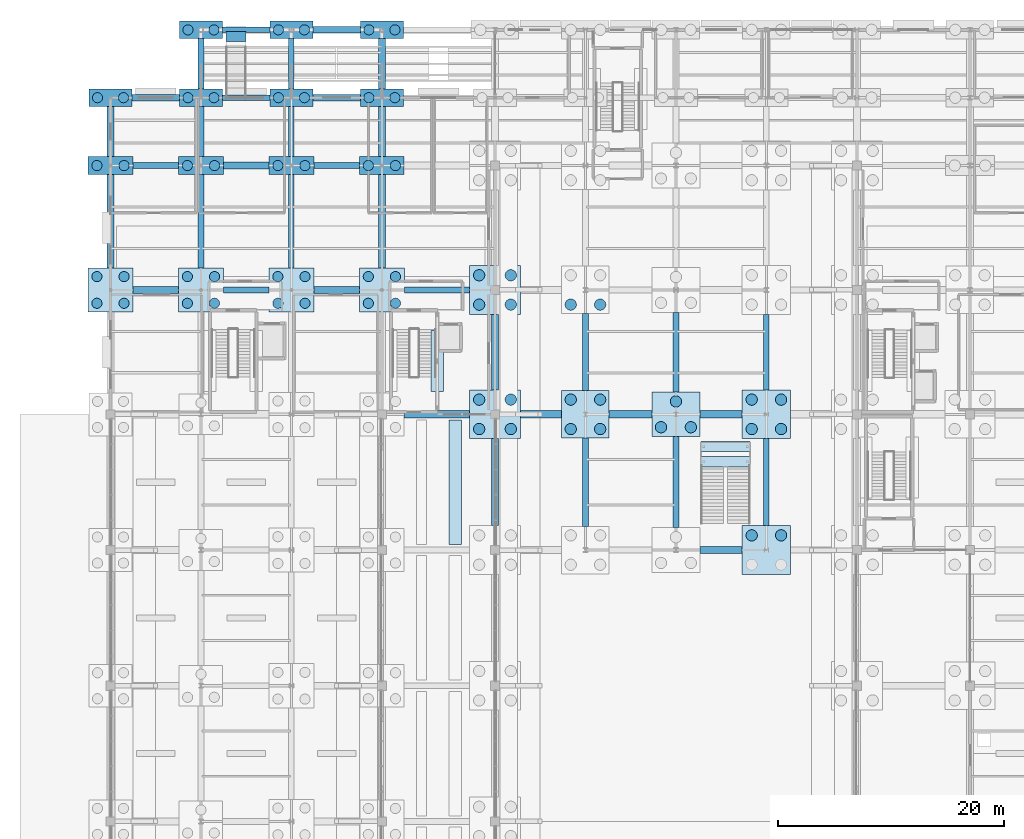
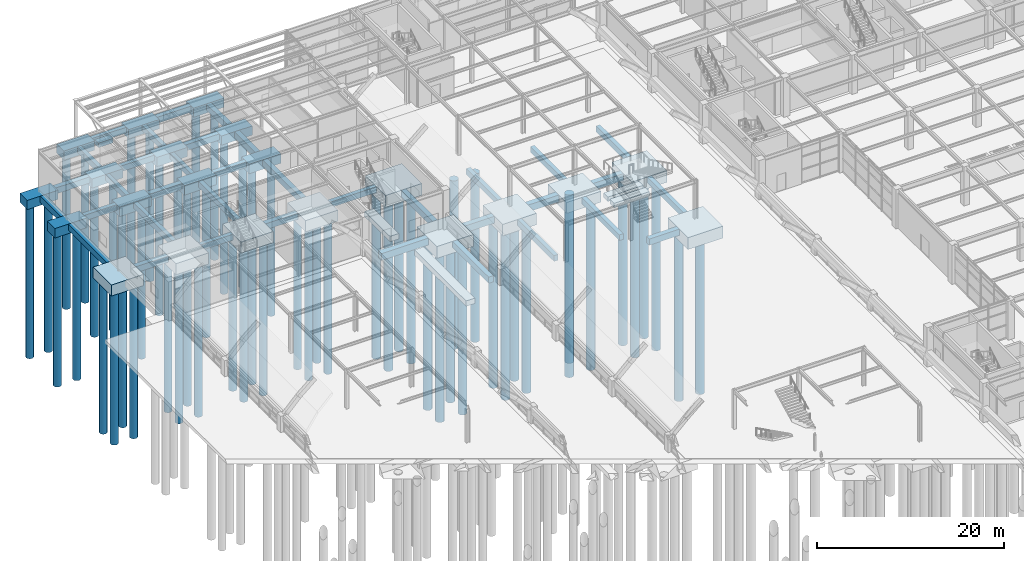
# One storey, part 5 of 129: 62 footings, 61 piles.
"""IFC4 building model written with IfcOpenShell, lengths in metres."""

from ifc_helpers import new_model, si_unit, direction, frame, origin, origin_2d, place, context, subcontext, project, spatial, rectangle, circle, extrude, material, material_profile, profile_set, type_object, element, save


model = new_model("IFC4")

# Units and contexts
model_context = context("Model", 3, precision=1e-05, world=origin(), true_north=direction((0.0, 1.0)))
body_context = subcontext(model_context, "Body", "Model", "MODEL_VIEW")
ifc_project = project(units=[si_unit("LENGTHUNIT", "METRE"), si_unit("AREAUNIT", "SQUARE_METRE"), si_unit("VOLUMEUNIT", "CUBIC_METRE"), si_unit("PLANEANGLEUNIT", "RADIAN"), si_unit("MASSUNIT", "GRAM", prefix="KILO")], contexts=[model_context])

# Site, building, storey
site_placement = place(None, origin())
site = spatial("IfcSite", under=ifc_project, at=site_placement, CompositionType="ELEMENT")
building_placement = place(site_placement, origin())
building = spatial("IfcBuilding", under=site, at=building_placement, Name="Sitalva Quay Ferry Terminal", CompositionType="ELEMENT")
storey_placement = place(building_placement, origin())
storey = spatial("IfcBuildingStorey", under=building, at=storey_placement, Name="L01", CompositionType="ELEMENT", Elevation=0.0)

# Footings
ifc_material_1 = material(Name="Concrete C35/45", Category="concrete")
ifc_material_profile_1 = material_profile(ifc_material_1, rectangle(XDim=0.5, YDim=0.75, at=origin_2d()), Name="RC500x750")
ifc_profile_set_1 = profile_set([ifc_material_profile_1], Name="Concrete C35/45")
footing_type_1 = type_object("IfcFootingType", Name="FootingBeam_500x750", PredefinedType="FOOTING_BEAM", material=ifc_profile_set_1)
footing_1_placement = place(storey_placement, frame((18.0, 89.0, -0.824951171875), z_axis=(1.0, 0.0, 0.0), x_axis=(0.0, 1.0, 0.0)))
element("IfcFooting", 1, at=footing_1_placement, inside=storey, type_object=footing_type_1, Name="Foundation tie beam FBR1-X-137", PredefinedType="FOOTING_BEAM", context=body_context, shape_type="SweptSolid", body=[
    extrude(rectangle(XDim=0.5, YDim=0.75, at=origin_2d()), origin(), (0.0, 0.0, 1.0), 4.0),
])
footing_2_placement = place(storey_placement, frame((34.0, 89.0, -0.824951171875), z_axis=(1.0, 0.0, 0.0), x_axis=(0.0, 1.0, 0.0)))
element("IfcFooting", 2, at=footing_2_placement, inside=storey, type_object=footing_type_1, Name="Foundation tie beam FBR1-X-139", PredefinedType="FOOTING_BEAM", context=body_context, shape_type="SweptSolid", body=[
    extrude(rectangle(XDim=0.5, YDim=0.75, at=origin_2d()), origin(), (0.0, 0.0, 1.0), 5.75),
])
for number, where, z_axis, x_axis, name in (
    (3, (9.97509765625, 100.0, -0.824951171875), (1.0, 0.0, 0.0), (0.0, 1.0, 0.0), "Foundation tie beam FBR1-X-155"),
    (4, (25.97509765625, 100.0, -0.824951171875), (1.0, 0.0, 0.0), (0.0, 1.0, 0.0), "Foundation tie beam FBR1-X-157"),
):
    element("IfcFooting", number, at=place(storey_placement, frame(where, z_axis=z_axis, x_axis=x_axis)), inside=storey, type_object=footing_type_1, Name=name, PredefinedType="FOOTING_BEAM", context=body_context, shape_type="SweptSolid", body=[
        extrude(rectangle(XDim=0.5, YDim=0.75, at=origin_2d()), origin(), (0.0, 0.0, 1.0), 4.0498046875),
    ])
for number, where, z_axis, x_axis, name in (
    (5, (17.89990234375, 106.0, -0.824951171875), (1.0, 0.0, 0.0), (0.0, 1.0, 0.0), "Foundation tie beam FBR1-X-175"),
    (6, (17.89990234375, 112.0, -0.824951171875), (1.0, 0.0, 0.0), (0.0, 1.0, 0.0), "Foundation tie beam FBR1-X-193"),
):
    element("IfcFooting", number, at=place(storey_placement, frame(where, z_axis=z_axis, x_axis=x_axis)), inside=storey, type_object=footing_type_1, Name=name, PredefinedType="FOOTING_BEAM", context=body_context, shape_type="SweptSolid", body=[
        extrude(rectangle(XDim=0.5, YDim=0.75, at=origin_2d()), origin(), (0.0, 0.0, 1.0), 4.2001953125),
    ])
footing_3_placement = place(storey_placement, frame((16.0, 90.949951171875, -0.824951171875), z_axis=(0.0, 1.0, 0.0), x_axis=(-1.0, 0.0, 0.0)))
element("IfcFooting", 7, at=footing_3_placement, inside=storey, type_object=footing_type_1, Name="Foundation tie beam FBR1-Y-223", PredefinedType="FOOTING_BEAM", context=body_context, shape_type="SweptSolid", body=[
    extrude(rectangle(XDim=0.5, YDim=0.75, at=origin_2d()), origin(), (0.0, 0.0, 1.0), 8.25),
])
footing_4_placement = place(storey_placement, frame((16.0, 100.800048828125, -0.824951171875), z_axis=(0.0, 1.0, 0.0), x_axis=(-1.0, 0.0, 0.0)))
element("IfcFooting", 8, at=footing_4_placement, inside=storey, type_object=footing_type_1, Name="Foundation tie beam FBR1-Y-224", PredefinedType="FOOTING_BEAM", context=body_context, shape_type="SweptSolid", body=[
    extrude(rectangle(XDim=0.5, YDim=0.75, at=origin_2d()), origin(), (0.0, 0.0, 1.0), 4.425048828125),
])
footing_5_placement = place(storey_placement, frame((16.0, 106.77490234375, -0.824951171875), z_axis=(0.0, 1.0, 0.0), x_axis=(-1.0, 0.0, 0.0)))
element("IfcFooting", 9, at=footing_5_placement, inside=storey, type_object=footing_type_1, Name="Foundation tie beam FBR1-Y-225", PredefinedType="FOOTING_BEAM", context=body_context, shape_type="SweptSolid", body=[
    extrude(rectangle(XDim=0.5, YDim=0.75, at=origin_2d()), origin(), (0.0, 0.0, 1.0), 4.4501953125),
])
footing_6_placement = place(storey_placement, frame((24.0, 90.949951171875, -0.824951171875), z_axis=(0.0, 1.0, 0.0), x_axis=(-1.0, 0.0, 0.0)))
element("IfcFooting", 10, at=footing_6_placement, inside=storey, type_object=footing_type_1, Name="Foundation tie beam FBR1-Y-233", PredefinedType="FOOTING_BEAM", context=body_context, shape_type="SweptSolid", body=[
    extrude(rectangle(XDim=0.5, YDim=0.75, at=origin_2d()), origin(), (0.0, 0.0, 1.0), 8.25),
])
footing_7_placement = place(storey_placement, frame((24.0, 100.800048828125, -0.824951171875), z_axis=(0.0, 1.0, 0.0), x_axis=(-1.0, 0.0, 0.0)))
element("IfcFooting", 11, at=footing_7_placement, inside=storey, type_object=footing_type_1, Name="Foundation tie beam FBR1-Y-234", PredefinedType="FOOTING_BEAM", context=body_context, shape_type="SweptSolid", body=[
    extrude(rectangle(XDim=0.5, YDim=0.75, at=origin_2d()), origin(), (0.0, 0.0, 1.0), 4.425048828125),
])
footing_8_placement = place(storey_placement, frame((24.0, 106.77490234375, -0.824951171875), z_axis=(0.0, 1.0, 0.0), x_axis=(-1.0, 0.0, 0.0)))
element("IfcFooting", 12, at=footing_8_placement, inside=storey, type_object=footing_type_1, Name="Foundation tie beam FBR1-Y-235", PredefinedType="FOOTING_BEAM", context=body_context, shape_type="SweptSolid", body=[
    extrude(rectangle(XDim=0.5, YDim=0.75, at=origin_2d()), origin(), (0.0, 0.0, 1.0), 4.4501953125),
])
footing_9_placement = place(storey_placement, frame((50.0, 68.10009765625, -0.824951171875), z_axis=(0.0, 1.0, 0.0), x_axis=(-1.0, 0.0, 0.0)))
element("IfcFooting", 13, at=footing_9_placement, inside=storey, type_object=footing_type_1, Name="Foundation tie beam FBR1-Y-258", PredefinedType="FOOTING_BEAM", context=body_context, shape_type="SweptSolid", body=[
    extrude(rectangle(XDim=0.5, YDim=0.75, at=origin_2d()), origin(), (0.0, 0.0, 1.0), 7.7998046875),
])
footing_10_placement = place(storey_placement, frame((50.0, 80.10009765625, -0.824951171875), z_axis=(0.0, 1.0, 0.0), x_axis=(-1.0, 0.0, 0.0)))
element("IfcFooting", 14, at=footing_10_placement, inside=storey, type_object=footing_type_1, Name="Foundation tie beam FBR1-Y-259", PredefinedType="FOOTING_BEAM", context=body_context, shape_type="SweptSolid", body=[
    extrude(rectangle(XDim=0.5, YDim=0.75, at=origin_2d()), origin(), (0.0, 0.0, 1.0), 6.7998046875),
])
footing_11_placement = place(storey_placement, frame((58.0, 67.97509765625, -0.824951171875), z_axis=(0.0, 1.0, 0.0), x_axis=(-1.0, 0.0, 0.0)))
element("IfcFooting", 15, at=footing_11_placement, inside=storey, type_object=footing_type_1, Name="Foundation tie beam FBR1-Y-267", PredefinedType="FOOTING_BEAM", context=body_context, shape_type="SweptSolid", body=[
    extrude(rectangle(XDim=0.5, YDim=0.75, at=origin_2d()), origin(), (0.0, 0.0, 1.0), 8.0498046875),
])
footing_12_placement = place(storey_placement, frame((58.0, 79.97509765625, -0.824951171875), z_axis=(0.0, 1.0, 0.0), x_axis=(-1.0, 0.0, 0.0)))
element("IfcFooting", 16, at=footing_12_placement, inside=storey, type_object=footing_type_1, Name="Foundation tie beam FBR1-Y-268", PredefinedType="FOOTING_BEAM", context=body_context, shape_type="SweptSolid", body=[
    extrude(rectangle(XDim=0.5, YDim=0.75, at=origin_2d()), origin(), (0.0, 0.0, 1.0), 7.0498046875),
])
footing_13_placement = place(storey_placement, frame((66.0, 68.14990234375, -0.824951171875), z_axis=(0.0, 1.0, 0.0), x_axis=(-1.0, 0.0, 0.0)))
element("IfcFooting", 17, at=footing_13_placement, inside=storey, type_object=footing_type_1, Name="Foundation tie beam FBR1-Y-276", PredefinedType="FOOTING_BEAM", context=body_context, shape_type="SweptSolid", body=[
    extrude(rectangle(XDim=0.5, YDim=0.75, at=origin_2d()), origin(), (0.0, 0.0, 1.0), 7.7001953125),
])
footing_14_placement = place(storey_placement, frame((66.0, 80.14990234375, -0.824951171875), z_axis=(0.0, 1.0, 0.0), x_axis=(-1.0, 0.0, 0.0)))
element("IfcFooting", 18, at=footing_14_placement, inside=storey, type_object=footing_type_1, Name="Foundation tie beam FBR1-Y-277", PredefinedType="FOOTING_BEAM", context=body_context, shape_type="SweptSolid", body=[
    extrude(rectangle(XDim=0.5, YDim=0.75, at=origin_2d()), origin(), (0.0, 0.0, 1.0), 6.7001953125),
])
ifc_material_2 = material(Name="Concrete C35/45", Category="concrete")
ifc_material_profile_2 = material_profile(ifc_material_2, rectangle(XDim=0.60009765625, YDim=0.800048828125, at=origin_2d()), Name="RC600x800")
ifc_profile_set_2 = profile_set([ifc_material_profile_2], Name="Concrete C35/45")
footing_type_2 = type_object("IfcFootingType", Name="FootingBeam_600x800", PredefinedType="FOOTING_BEAM", material=ifc_profile_set_2)
footing_15_placement = place(storey_placement, frame((60.125, 66.0, -0.85009765625), z_axis=(1.0, 0.0, 0.0), x_axis=(0.0, 1.0, 0.0)))
element("IfcFooting", 19, at=footing_15_placement, inside=storey, type_object=footing_type_2, Name="Foundation tie beam FBR1-X-102", PredefinedType="FOOTING_BEAM", context=body_context, shape_type="SweptSolid", body=[
    extrude(rectangle(XDim=0.60009765625, YDim=0.800048828125, at=origin_2d()), origin(), (0.0, 0.0, 1.0), 3.72509765625),
])
for number, where, z_axis, x_axis, name in (
    (20, (10.0, 89.0, -0.85009765625), (1.0, 0.0, 0.0), (0.0, 1.0, 0.0), "Foundation tie beam FBR1-X-136"),
    (21, (26.0, 89.0, -0.85009765625), (1.0, 0.0, 0.0), (0.0, 1.0, 0.0), "Foundation tie beam FBR1-X-138"),
):
    element("IfcFooting", number, at=place(storey_placement, frame(where, z_axis=z_axis, x_axis=x_axis)), inside=storey, type_object=footing_type_2, Name=name, PredefinedType="FOOTING_BEAM", context=body_context, shape_type="SweptSolid", body=[
        extrude(rectangle(XDim=0.60009765625, YDim=0.800048828125, at=origin_2d()), origin(), (0.0, 0.0, 1.0), 4.0),
    ])
footing_16_placement = place(storey_placement, frame((17.97509765625, 100.0, -0.85009765625), z_axis=(1.0, 0.0, 0.0), x_axis=(0.0, 1.0, 0.0)))
element("IfcFooting", 22, at=footing_16_placement, inside=storey, type_object=footing_type_2, Name="Foundation tie beam FBR1-X-156", PredefinedType="FOOTING_BEAM", context=body_context, shape_type="SweptSolid", body=[
    extrude(rectangle(XDim=0.60009765625, YDim=0.800048828125, at=origin_2d()), origin(), (0.0, 0.0, 1.0), 4.0498046875),
])
for number, where, z_axis, x_axis, name in (
    (23, (9.89990234375, 106.0, -0.85009765625), (1.0, 0.0, 0.0), (0.0, 1.0, 0.0), "Foundation tie beam FBR1-X-174"),
    (24, (25.89990234375, 106.0, -0.85009765625), (1.0, 0.0, 0.0), (0.0, 1.0, 0.0), "Foundation tie beam FBR1-X-176"),
    (25, (25.89990234375, 112.0, -0.85009765625), (1.0, 0.0, 0.0), (0.0, 1.0, 0.0), "Foundation tie beam FBR1-X-194"),
):
    element("IfcFooting", number, at=place(storey_placement, frame(where, z_axis=z_axis, x_axis=x_axis)), inside=storey, type_object=footing_type_2, Name=name, PredefinedType="FOOTING_BEAM", context=body_context, shape_type="SweptSolid", body=[
        extrude(rectangle(XDim=0.60009765625, YDim=0.800048828125, at=origin_2d()), origin(), (0.0, 0.0, 1.0), 4.2001953125),
    ])
footing_17_placement = place(storey_placement, frame((8.0, 90.949951171875, -0.85009765625), z_axis=(0.0, 1.0, 0.0), x_axis=(-1.0, 0.0, 0.0)))
element("IfcFooting", 26, at=footing_17_placement, inside=storey, type_object=footing_type_2, Name="Foundation tie beam FBR1-Y-216", PredefinedType="FOOTING_BEAM", context=body_context, shape_type="SweptSolid", body=[
    extrude(rectangle(XDim=0.60009765625, YDim=0.800048828125, at=origin_2d()), origin(), (0.0, 0.0, 1.0), 8.25),
])
footing_18_placement = place(storey_placement, frame((8.0, 100.800048828125, -0.85009765625), z_axis=(0.0, 1.0, 0.0), x_axis=(-1.0, 0.0, 0.0)))
element("IfcFooting", 27, at=footing_18_placement, inside=storey, type_object=footing_type_2, Name="Foundation tie beam FBR1-Y-217", PredefinedType="FOOTING_BEAM", context=body_context, shape_type="SweptSolid", body=[
    extrude(rectangle(XDim=0.60009765625, YDim=0.800048828125, at=origin_2d()), origin(), (0.0, 0.0, 1.0), 4.425048828125),
])
footing_19_placement = place(storey_placement, frame((32.0, 90.949951171875, -0.85009765625), z_axis=(0.0, 1.0, 0.0), x_axis=(-1.0, 0.0, 0.0)))
element("IfcFooting", 28, at=footing_19_placement, inside=storey, type_object=footing_type_2, Name="Foundation tie beam FBR1-Y-243", PredefinedType="FOOTING_BEAM", context=body_context, shape_type="SweptSolid", body=[
    extrude(rectangle(XDim=0.60009765625, YDim=0.800048828125, at=origin_2d()), origin(), (0.0, 0.0, 1.0), 8.25),
])
footing_20_placement = place(storey_placement, frame((32.0, 100.800048828125, -0.85009765625), z_axis=(0.0, 1.0, 0.0), x_axis=(-1.0, 0.0, 0.0)))
element("IfcFooting", 29, at=footing_20_placement, inside=storey, type_object=footing_type_2, Name="Foundation tie beam FBR1-Y-244", PredefinedType="FOOTING_BEAM", context=body_context, shape_type="SweptSolid", body=[
    extrude(rectangle(XDim=0.60009765625, YDim=0.800048828125, at=origin_2d()), origin(), (0.0, 0.0, 1.0), 4.425048828125),
])
footing_21_placement = place(storey_placement, frame((32.0, 106.77490234375, -0.85009765625), z_axis=(0.0, 1.0, 0.0), x_axis=(-1.0, 0.0, 0.0)))
element("IfcFooting", 30, at=footing_21_placement, inside=storey, type_object=footing_type_2, Name="Foundation tie beam FBR1-Y-245", PredefinedType="FOOTING_BEAM", context=body_context, shape_type="SweptSolid", body=[
    extrude(rectangle(XDim=0.60009765625, YDim=0.800048828125, at=origin_2d()), origin(), (0.0, 0.0, 1.0), 4.4501953125),
])
footing_22_placement = place(storey_placement, frame((42.0, 68.14990234375, -0.85009765625), z_axis=(0.0, 1.0, 0.0), x_axis=(-1.0, 0.0, 0.0)))
element("IfcFooting", 31, at=footing_22_placement, inside=storey, type_object=footing_type_2, Name="Foundation tie beam FBR1-Y-251", PredefinedType="FOOTING_BEAM", context=body_context, shape_type="SweptSolid", body=[
    extrude(rectangle(XDim=0.60009765625, YDim=0.800048828125, at=origin_2d()), origin(), (0.0, 0.0, 1.0), 7.7001953125),
])
footing_23_placement = place(storey_placement, frame((42.0, 80.14990234375, -0.85009765625), z_axis=(0.0, 1.0, 0.0), x_axis=(-1.0, 0.0, 0.0)))
element("IfcFooting", 32, at=footing_23_placement, inside=storey, type_object=footing_type_2, Name="Foundation tie beam FBR1-Y-252", PredefinedType="FOOTING_BEAM", context=body_context, shape_type="SweptSolid", body=[
    extrude(rectangle(XDim=0.60009765625, YDim=0.800048828125, at=origin_2d()), origin(), (0.0, 0.0, 1.0), 6.7001953125),
])
ifc_material_3 = material(Name="Concrete C35/45", Category="concrete")
ifc_material_profile_3 = material_profile(ifc_material_3, rectangle(XDim=0.64990234375, YDim=0.89990234375, at=origin_2d()), Name="RC650x900")
ifc_profile_set_3 = profile_set([ifc_material_profile_3], Name="Concrete C35/45")
footing_type_3 = type_object("IfcFootingType", Name="FootingBeam_650x900", PredefinedType="FOOTING_BEAM", material=ifc_profile_set_3)
footing_24_placement = place(storey_placement, frame((33.949951171875, 78.0, -0.89990234375), z_axis=(1.0, 0.0, 0.0), x_axis=(0.0, 1.0, 0.0)))
element("IfcFooting", 33, at=footing_24_placement, inside=storey, type_object=footing_type_3, Name="Foundation tie beam FBR1-X-119", PredefinedType="FOOTING_BEAM", context=body_context, shape_type="SweptSolid", body=[
    extrude(rectangle(XDim=0.64990234375, YDim=0.89990234375, at=origin_2d()), origin(), (0.0, 0.0, 1.0), 5.800048828125),
])
footing_25_placement = place(storey_placement, frame((44.25, 78.0, -0.89990234375), z_axis=(1.0, 0.0, 0.0), x_axis=(0.0, 1.0, 0.0)))
element("IfcFooting", 34, at=footing_25_placement, inside=storey, type_object=footing_type_3, Name="Foundation tie beam FBR1-X-120", PredefinedType="FOOTING_BEAM", context=body_context, shape_type="SweptSolid", body=[
    extrude(rectangle(XDim=0.64990234375, YDim=0.89990234375, at=origin_2d()), origin(), (0.0, 0.0, 1.0), 3.64990234375),
])
footing_26_placement = place(storey_placement, frame((52.10009765625, 78.0, -0.89990234375), z_axis=(1.0, 0.0, 0.0), x_axis=(0.0, 1.0, 0.0)))
element("IfcFooting", 35, at=footing_26_placement, inside=storey, type_object=footing_type_3, Name="Foundation tie beam FBR1-X-121", PredefinedType="FOOTING_BEAM", context=body_context, shape_type="SweptSolid", body=[
    extrude(rectangle(XDim=0.64990234375, YDim=0.89990234375, at=origin_2d()), origin(), (0.0, 0.0, 1.0), 3.77490234375),
])
footing_27_placement = place(storey_placement, frame((60.125, 78.0, -0.89990234375), z_axis=(1.0, 0.0, 0.0), x_axis=(0.0, 1.0, 0.0)))
element("IfcFooting", 36, at=footing_27_placement, inside=storey, type_object=footing_type_3, Name="Foundation tie beam FBR1-X-122", PredefinedType="FOOTING_BEAM", context=body_context, shape_type="SweptSolid", body=[
    extrude(rectangle(XDim=0.64990234375, YDim=0.89990234375, at=origin_2d()), origin(), (0.0, 0.0, 1.0), 3.72509765625),
])
ifc_material_4 = material(Name="Concrete C35/45", Category="concrete")
footing_type_4 = type_object("IfcFootingType", Name="PileCap_2P_D900_X1", PredefinedType="PILE_CAP", material=ifc_material_4)
for number, where, z_axis, x_axis, name in (
    (37, (8.0, 106.0, -1.64990234375), (0.0, 0.0, 1.0), (1.0, 0.0, 0.0), "Pile cap PC-13 at 2M"),
    (38, (16.0, 106.0, -1.64990234375), (0.0, 0.0, 1.0), (1.0, 0.0, 0.0), "Pile cap PC-13 at 3M"),
    (39, (24.0, 106.0, -1.64990234375), (0.0, 0.0, 1.0), (1.0, 0.0, 0.0), "Pile cap PC-13 at 4M"),
    (40, (32.0, 106.0, -1.64990234375), (0.0, 0.0, 1.0), (1.0, 0.0, 0.0), "Pile cap PC-13 at 5M"),
    (41, (16.0, 112.0, -1.64990234375), (0.0, 0.0, 1.0), (1.0, 0.0, 0.0), "Pile cap PC-13 at 3N"),
    (42, (24.0, 112.0, -1.64990234375), (0.0, 0.0, 1.0), (1.0, 0.0, 0.0), "Pile cap PC-13 at 4N"),
    (43, (32.0, 112.0, -1.64990234375), (0.0, 0.0, 1.0), (1.0, 0.0, 0.0), "Pile cap PC-13 at 5N"),
):
    element("IfcFooting", number, at=place(storey_placement, frame(where, z_axis=z_axis, x_axis=x_axis)), inside=storey, type_object=footing_type_4, Name=name, PredefinedType="PILE_CAP", context=body_context, shape_type="SweptSolid", body=[
        extrude(rectangle(XDim=3.800048828125, YDim=1.550048828125, at=origin_2d()), origin(), (0.0, 0.0, 1.0), 1.199951171875),
    ])
ifc_material_5 = material(Name="Concrete C35/45", Category="concrete")
footing_type_5 = type_object("IfcFootingType", Name="PileCap_2P_D900_X2", PredefinedType="PILE_CAP", material=ifc_material_5)
for number, where, z_axis, x_axis, name in (
    (44, (8.0, 100.0, -1.699951171875), (0.0, 0.0, 1.0), (1.0, 0.0, 0.0), "Pile cap PC-14 at 2L"),
    (45, (16.0, 100.0, -1.699951171875), (0.0, 0.0, 1.0), (1.0, 0.0, 0.0), "Pile cap PC-14 at 3L"),
    (46, (24.0, 100.0, -1.699951171875), (0.0, 0.0, 1.0), (1.0, 0.0, 0.0), "Pile cap PC-14 at 4L"),
    (47, (32.0, 100.0, -1.699951171875), (0.0, 0.0, 1.0), (1.0, 0.0, 0.0), "Pile cap PC-14 at 5L"),
):
    element("IfcFooting", number, at=place(storey_placement, frame(where, z_axis=z_axis, x_axis=x_axis)), inside=storey, type_object=footing_type_5, Name=name, PredefinedType="PILE_CAP", context=body_context, shape_type="SweptSolid", body=[
        extrude(rectangle(XDim=3.949951171875, YDim=1.60009765625, at=origin_2d()), origin(), (0.0, 0.0, 1.0), 1.25),
    ])
ifc_material_6 = material(Name="Concrete C35/45", Category="concrete")
footing_type_6 = type_object("IfcFootingType", Name="PileCap_3P_D1000_A", PredefinedType="PILE_CAP", material=ifc_material_6)
footing_28_placement = place(storey_placement, frame((58.0, 78.0, -1.869873046875), z_axis=(0.0, 0.0, 1.0), x_axis=(1.0, 0.0, 0.0)))
element("IfcFooting", 48, at=footing_28_placement, inside=storey, type_object=footing_type_6, Name="Pile cap PC-18 at 8J", PredefinedType="PILE_CAP", context=body_context, shape_type="SweptSolid", body=[
    extrude(rectangle(XDim=4.25, YDim=3.949951171875, at=origin_2d()), origin(), (0.0, 0.0, 1.0), 1.419921875),
])
ifc_material_7 = material(Name="Concrete C35/45", Category="concrete")
footing_type_7 = type_object("IfcFootingType", Name="PileCap_4P_D1000_A", PredefinedType="PILE_CAP", material=ifc_material_7)
footing_29_placement = place(storey_placement, frame((50.0, 78.0, -1.949951171875), z_axis=(0.0, 0.0, 1.0), x_axis=(1.0, 0.0, 0.0)))
element("IfcFooting", 49, at=footing_29_placement, inside=storey, type_object=footing_type_7, Name="Pile cap PC-03 at 7J", PredefinedType="PILE_CAP", context=body_context, shape_type="SweptSolid", body=[
    extrude(rectangle(XDim=4.199951171875, YDim=4.199951171875, at=origin_2d()), origin(), (0.0, 0.0, 1.0), 1.5),
])
ifc_material_8 = material(Name="Concrete C35/45", Category="concrete")
footing_type_8 = type_object("IfcFootingType", Name="PileCap_4P_D1000_B", PredefinedType="PILE_CAP", material=ifc_material_8)
for number, where, z_axis, x_axis, name in (
    (50, (66.0, 66.0, -2.0), (0.0, 0.0, 1.0), (1.0, 0.0, 0.0), "Pile cap PC-04 at 9H"),
    (51, (66.0, 78.0, -2.0), (0.0, 0.0, 1.0), (1.0, 0.0, 0.0), "Pile cap PC-04 at 9J"),
):
    element("IfcFooting", number, at=place(storey_placement, frame(where, z_axis=z_axis, x_axis=x_axis)), inside=storey, type_object=footing_type_8, Name=name, PredefinedType="PILE_CAP", context=body_context, shape_type="SweptSolid", body=[
        extrude(rectangle(XDim=4.300048828125, YDim=4.300048828125, at=origin_2d()), origin(), (0.0, 0.0, 1.0), 1.550048828125),
    ])
ifc_material_9 = material(Name="Concrete C35/45", Category="concrete")
footing_type_9 = type_object("IfcFootingType", Name="PileCap_4P_D1000_V1", PredefinedType="PILE_CAP", material=ifc_material_9)
for number, where, z_axis, x_axis, name in (
    (52, (42.0, 78.0, -2.0), (0.0, 0.0, 1.0), (1.0, 0.0, 0.0), "Pile cap PC-06 at 6J"),
    (53, (42.0, 89.0, -2.0), (0.0, 0.0, 1.0), (1.0, 0.0, 0.0), "Pile cap PC-06 at 6K"),
):
    element("IfcFooting", number, at=place(storey_placement, frame(where, z_axis=z_axis, x_axis=x_axis)), inside=storey, type_object=footing_type_9, Name=name, PredefinedType="PILE_CAP", context=body_context, shape_type="SweptSolid", body=[
        extrude(rectangle(XDim=4.5, YDim=4.300048828125, at=origin_2d()), origin(), (0.0, 0.0, 1.0), 1.550048828125),
    ])
ifc_material_10 = material(Name="Concrete C35/45", Category="concrete")
footing_type_10 = type_object("IfcFootingType", Name="PileCap_4P_D900_C", PredefinedType="PILE_CAP", material=ifc_material_10)
for number, where, z_axis, x_axis, name in (
    (54, (8.0, 89.0, -1.89990234375), (0.0, 0.0, 1.0), (1.0, 0.0, 0.0), "Pile cap PC-09 at 2K"),
    (55, (16.0, 89.0, -1.89990234375), (0.0, 0.0, 1.0), (1.0, 0.0, 0.0), "Pile cap PC-09 at 3K"),
    (56, (24.0, 89.0, -1.89990234375), (0.0, 0.0, 1.0), (1.0, 0.0, 0.0), "Pile cap PC-09 at 4K"),
    (57, (32.0, 89.0, -1.89990234375), (0.0, 0.0, 1.0), (1.0, 0.0, 0.0), "Pile cap PC-09 at 5K"),
):
    element("IfcFooting", number, at=place(storey_placement, frame(where, z_axis=z_axis, x_axis=x_axis)), inside=storey, type_object=footing_type_10, Name=name, PredefinedType="PILE_CAP", context=body_context, shape_type="SweptSolid", body=[
        extrude(rectangle(XDim=4.0, YDim=3.89990234375, at=origin_2d()), origin(), (0.0, 0.0, 1.0), 1.449951171875),
    ])

# Piles
ifc_material_11 = material(Name="Concrete C35/45", Category="concrete")
ifc_material_profile_4 = material_profile(ifc_material_11, circle(Radius=0.5, at=origin_2d()), Name="PILE-D1000")
ifc_profile_set_4 = profile_set([ifc_material_profile_4], Name="Concrete C35/45")
pile_type_1 = type_object("IfcPileType", Name="Pile_Bored_D1000", PredefinedType="BORED", material=ifc_profile_set_4)
for number, where, z_axis, x_axis, name in (
    (58, (64.699951171875, 67.300048828125, -1.89990234375), (0.0, 0.0, -1.0), (1.0, 0.0, 0.0), "Bored pile 9H-P3"),
    (59, (67.300048828125, 67.300048828125, -1.89990234375), (0.0, 0.0, -1.0), (1.0, 0.0, 0.0), "Bored pile 9H-P4"),
    (60, (40.60009765625, 76.699951171875, -1.89990234375), (0.0, 0.0, -1.0), (1.0, 0.0, 0.0), "Bored pile 6J-P1"),
    (61, (43.39990234375, 76.699951171875, -1.89990234375), (0.0, 0.0, -1.0), (1.0, 0.0, 0.0), "Bored pile 6J-P2"),
    (62, (40.60009765625, 79.300048828125, -1.89990234375), (0.0, 0.0, -1.0), (1.0, 0.0, 0.0), "Bored pile 6J-P3"),
    (63, (43.39990234375, 79.300048828125, -1.89990234375), (0.0, 0.0, -1.0), (1.0, 0.0, 0.0), "Bored pile 6J-P4"),
    (64, (48.699951171875, 76.699951171875, -1.85009765625), (0.0, 0.0, -1.0), (1.0, 0.0, 0.0), "Bored pile 7J-P1"),
    (65, (51.300048828125, 76.699951171875, -1.85009765625), (0.0, 0.0, -1.0), (1.0, 0.0, 0.0), "Bored pile 7J-P2"),
    (66, (48.699951171875, 79.300048828125, -1.85009765625), (0.0, 0.0, -1.0), (1.0, 0.0, 0.0), "Bored pile 7J-P3"),
    (67, (51.300048828125, 79.300048828125, -1.85009765625), (0.0, 0.0, -1.0), (1.0, 0.0, 0.0), "Bored pile 7J-P4"),
    (68, (56.679931640625, 76.860107421875, -1.77001953125), (0.0, 0.0, -1.0), (1.0, 0.0, 0.0), "Bored pile 8J-P1"),
    (69, (59.320068359375, 76.860107421875, -1.77001953125), (0.0, 0.0, -1.0), (1.0, 0.0, 0.0), "Bored pile 8J-P2"),
    (70, (58.0, 79.139892578125, -1.77001953125), (0.0, 0.0, -1.0), (1.0, 0.0, 0.0), "Bored pile 8J-P3"),
    (71, (64.699951171875, 76.699951171875, -1.89990234375), (0.0, 0.0, -1.0), (1.0, 0.0, 0.0), "Bored pile 9J-P1"),
    (72, (67.300048828125, 76.699951171875, -1.89990234375), (0.0, 0.0, -1.0), (1.0, 0.0, 0.0), "Bored pile 9J-P2"),
    (73, (64.699951171875, 79.300048828125, -1.89990234375), (0.0, 0.0, -1.0), (1.0, 0.0, 0.0), "Bored pile 9J-P3"),
    (74, (67.300048828125, 79.300048828125, -1.89990234375), (0.0, 0.0, -1.0), (1.0, 0.0, 0.0), "Bored pile 9J-P4"),
    (75, (40.60009765625, 87.699951171875, -1.89990234375), (0.0, 0.0, -1.0), (1.0, 0.0, 0.0), "Bored pile 6K-P1"),
    (76, (43.39990234375, 87.699951171875, -1.89990234375), (0.0, 0.0, -1.0), (1.0, 0.0, 0.0), "Bored pile 6K-P2"),
    (77, (40.60009765625, 90.300048828125, -1.89990234375), (0.0, 0.0, -1.0), (1.0, 0.0, 0.0), "Bored pile 6K-P3"),
    (78, (43.39990234375, 90.300048828125, -1.89990234375), (0.0, 0.0, -1.0), (1.0, 0.0, 0.0), "Bored pile 6K-P4"),
    (79, (48.699951171875, 87.699951171875, -1.85009765625), (0.0, 0.0, -1.0), (1.0, 0.0, 0.0), "Bored pile 7K-P1"),
    (80, (51.300048828125, 87.699951171875, -1.85009765625), (0.0, 0.0, -1.0), (1.0, 0.0, 0.0), "Bored pile 7K-P2"),
):
    element("IfcPile", number, at=place(storey_placement, frame(where, z_axis=z_axis, x_axis=x_axis)), inside=storey, type_object=pile_type_1, Name=name, PredefinedType="BORED", context=body_context, shape_type="SweptSolid", body=[
        extrude(circle(Radius=0.5, at=origin_2d()), origin(), (0.0, 0.0, 1.0), 22.0),
    ])
ifc_material_12 = material(Name="Concrete C35/45", Category="concrete")
ifc_material_profile_5 = material_profile(ifc_material_12, circle(Radius=0.449951171875, at=origin_2d()), Name="PILE-D900")
ifc_profile_set_5 = profile_set([ifc_material_profile_5], Name="Concrete C35/45")
pile_type_2 = type_object("IfcPileType", Name="Pile_Bored_D900", PredefinedType="BORED", material=ifc_profile_set_5)
for number, where, z_axis, x_axis, name in (
    (81, (6.800048828125, 87.820068359375, -1.800048828125), (0.0, 0.0, -1.0), (1.0, 0.0, 0.0), "Bored pile 2K-P1"),
    (82, (9.199951171875, 87.820068359375, -1.800048828125), (0.0, 0.0, -1.0), (1.0, 0.0, 0.0), "Bored pile 2K-P2"),
    (83, (6.800048828125, 90.179931640625, -1.800048828125), (0.0, 0.0, -1.0), (1.0, 0.0, 0.0), "Bored pile 2K-P3"),
    (84, (9.199951171875, 90.179931640625, -1.800048828125), (0.0, 0.0, -1.0), (1.0, 0.0, 0.0), "Bored pile 2K-P4"),
    (85, (14.800048828125, 87.820068359375, -1.800048828125), (0.0, 0.0, -1.0), (1.0, 0.0, 0.0), "Bored pile 3K-P1"),
    (86, (17.199951171875, 87.820068359375, -1.800048828125), (0.0, 0.0, -1.0), (1.0, 0.0, 0.0), "Bored pile 3K-P2"),
    (87, (14.800048828125, 90.179931640625, -1.800048828125), (0.0, 0.0, -1.0), (1.0, 0.0, 0.0), "Bored pile 3K-P3"),
    (88, (17.199951171875, 90.179931640625, -1.800048828125), (0.0, 0.0, -1.0), (1.0, 0.0, 0.0), "Bored pile 3K-P4"),
    (89, (22.800048828125, 87.820068359375, -1.800048828125), (0.0, 0.0, -1.0), (1.0, 0.0, 0.0), "Bored pile 4K-P1"),
    (90, (25.199951171875, 87.820068359375, -1.800048828125), (0.0, 0.0, -1.0), (1.0, 0.0, 0.0), "Bored pile 4K-P2"),
    (91, (22.800048828125, 90.179931640625, -1.800048828125), (0.0, 0.0, -1.0), (1.0, 0.0, 0.0), "Bored pile 4K-P3"),
    (92, (25.199951171875, 90.179931640625, -1.800048828125), (0.0, 0.0, -1.0), (1.0, 0.0, 0.0), "Bored pile 4K-P4"),
    (93, (30.800048828125, 87.820068359375, -1.800048828125), (0.0, 0.0, -1.0), (1.0, 0.0, 0.0), "Bored pile 5K-P1"),
    (94, (33.199951171875, 87.820068359375, -1.800048828125), (0.0, 0.0, -1.0), (1.0, 0.0, 0.0), "Bored pile 5K-P2"),
    (95, (30.800048828125, 90.179931640625, -1.800048828125), (0.0, 0.0, -1.0), (1.0, 0.0, 0.0), "Bored pile 5K-P3"),
    (96, (33.199951171875, 90.179931640625, -1.800048828125), (0.0, 0.0, -1.0), (1.0, 0.0, 0.0), "Bored pile 5K-P4"),
    (97, (6.800048828125, 100.0, -1.60009765625), (0.0, 0.0, -1.0), (1.0, 0.0, 0.0), "Bored pile 2L-P1"),
    (98, (9.199951171875, 100.0, -1.60009765625), (0.0, 0.0, -1.0), (1.0, 0.0, 0.0), "Bored pile 2L-P2"),
    (99, (14.800048828125, 100.0, -1.60009765625), (0.0, 0.0, -1.0), (1.0, 0.0, 0.0), "Bored pile 3L-P1"),
    (100, (17.199951171875, 100.0, -1.60009765625), (0.0, 0.0, -1.0), (1.0, 0.0, 0.0), "Bored pile 3L-P2"),
    (101, (22.800048828125, 100.0, -1.60009765625), (0.0, 0.0, -1.0), (1.0, 0.0, 0.0), "Bored pile 4L-P1"),
    (102, (25.199951171875, 100.0, -1.60009765625), (0.0, 0.0, -1.0), (1.0, 0.0, 0.0), "Bored pile 4L-P2"),
    (103, (30.800048828125, 100.0, -1.60009765625), (0.0, 0.0, -1.0), (1.0, 0.0, 0.0), "Bored pile 5L-P1"),
    (104, (33.199951171875, 100.0, -1.60009765625), (0.0, 0.0, -1.0), (1.0, 0.0, 0.0), "Bored pile 5L-P2"),
    (105, (6.85009765625, 106.0, -1.550048828125), (0.0, 0.0, -1.0), (1.0, 0.0, 0.0), "Bored pile 2M-P1"),
    (106, (9.14990234375, 106.0, -1.550048828125), (0.0, 0.0, -1.0), (1.0, 0.0, 0.0), "Bored pile 2M-P2"),
    (107, (14.85009765625, 106.0, -1.550048828125), (0.0, 0.0, -1.0), (1.0, 0.0, 0.0), "Bored pile 3M-P1"),
    (108, (17.14990234375, 106.0, -1.550048828125), (0.0, 0.0, -1.0), (1.0, 0.0, 0.0), "Bored pile 3M-P2"),
    (109, (22.85009765625, 106.0, -1.550048828125), (0.0, 0.0, -1.0), (1.0, 0.0, 0.0), "Bored pile 4M-P1"),
    (110, (25.14990234375, 106.0, -1.550048828125), (0.0, 0.0, -1.0), (1.0, 0.0, 0.0), "Bored pile 4M-P2"),
    (111, (30.85009765625, 106.0, -1.550048828125), (0.0, 0.0, -1.0), (1.0, 0.0, 0.0), "Bored pile 5M-P1"),
    (112, (33.14990234375, 106.0, -1.550048828125), (0.0, 0.0, -1.0), (1.0, 0.0, 0.0), "Bored pile 5M-P2"),
    (113, (14.85009765625, 112.0, -1.550048828125), (0.0, 0.0, -1.0), (1.0, 0.0, 0.0), "Bored pile 3N-P1"),
    (114, (17.14990234375, 112.0, -1.550048828125), (0.0, 0.0, -1.0), (1.0, 0.0, 0.0), "Bored pile 3N-P2"),
    (115, (22.85009765625, 112.0, -1.550048828125), (0.0, 0.0, -1.0), (1.0, 0.0, 0.0), "Bored pile 4N-P1"),
    (116, (25.14990234375, 112.0, -1.550048828125), (0.0, 0.0, -1.0), (1.0, 0.0, 0.0), "Bored pile 4N-P2"),
    (117, (30.85009765625, 112.0, -1.550048828125), (0.0, 0.0, -1.0), (1.0, 0.0, 0.0), "Bored pile 5N-P1"),
    (118, (33.14990234375, 112.0, -1.550048828125), (0.0, 0.0, -1.0), (1.0, 0.0, 0.0), "Bored pile 5N-P2"),
):
    element("IfcPile", number, at=place(storey_placement, frame(where, z_axis=z_axis, x_axis=x_axis)), inside=storey, type_object=pile_type_2, Name=name, PredefinedType="BORED", context=body_context, shape_type="SweptSolid", body=[
        extrude(circle(Radius=0.449951171875, at=origin_2d()), origin(), (0.0, 0.0, 1.0), 20.0),
    ])

# Footings
ifc_material_13 = material(Name="Concrete C35/45", Category="concrete")
ifc_material_profile_6 = material_profile(ifc_material_13, rectangle(XDim=1.10009765625, YDim=0.699951171875, at=origin_2d()), Name="RC1100x700")
ifc_profile_set_6 = profile_set([ifc_material_profile_6], Name="Concrete C35/45")
footing_type_11 = type_object("IfcFootingType", Name="StripFooting_1100x700", PredefinedType="STRIP_FOOTING", material=ifc_profile_set_6)
footing_30_placement = place(storey_placement, frame((38.5, 66.5, -1.60009765625), z_axis=(0.0, 1.0, 0.0), x_axis=(-1.0, 0.0, 0.0)))
element("IfcFooting", 119, at=footing_30_placement, inside=storey, type_object=footing_type_11, Name="Monsoon court edge strip footing SFR1-12", PredefinedType="STRIP_FOOTING", context=body_context, shape_type="SweptSolid", body=[
    extrude(rectangle(XDim=1.10009765625, YDim=0.699951171875, at=origin_2d()), origin(), (0.0, 0.0, 1.0), 11.0),
])
footing_31_placement = place(storey_placement, frame((36.89990234375, 80.0, -0.800048828125), z_axis=(0.0, 1.0, 0.0), x_axis=(-1.0, 0.0, 0.0)))
element("IfcFooting", 120, at=footing_31_placement, inside=storey, type_object=footing_type_11, Name="Core C5 east shear wall strip footing", PredefinedType="STRIP_FOOTING", context=body_context, shape_type="SweptSolid", body=[
    extrude(rectangle(XDim=1.10009765625, YDim=0.699951171875, at=origin_2d()), origin(), (0.0, 0.0, 1.0), 5.39990234375),
])
ifc_material_14 = material(Name="Concrete C35/45", Category="concrete")
ifc_material_profile_7 = material_profile(ifc_material_14, rectangle(XDim=0.89990234375, YDim=0.60009765625, at=origin_2d()), Name="RC900x600")
ifc_profile_set_7 = profile_set([ifc_material_profile_7], Name="Concrete C35/45")
footing_type_12 = type_object("IfcFootingType", Name="StripFooting_900x600", PredefinedType="STRIP_FOOTING", material=ifc_profile_set_7)
for number, where, z_axis, x_axis, name in (
    (121, (60.199951171875, 73.81005859375, -0.75), (1.0, 0.0, 0.0), (0.0, 1.0, 0.0), "Feature stair ST-12 south landing strip footing"),
    (122, (60.199951171875, 75.159912109375, -0.75), (1.0, 0.0, 0.0), (0.0, 1.0, 0.0), "Feature stair ST-12 north landing strip footing"),
):
    element("IfcFooting", number, at=place(storey_placement, frame(where, z_axis=z_axis, x_axis=x_axis)), inside=storey, type_object=footing_type_12, Name=name, PredefinedType="STRIP_FOOTING", context=body_context, shape_type="SweptSolid", body=[
        extrude(rectangle(XDim=0.89990234375, YDim=0.60009765625, at=origin_2d()), origin(), (0.0, 0.0, 1.0), 4.35009765625),
    ])
footing_32_placement = place(storey_placement, frame((18.199951171875, 111.39990234375, -0.97998046875), z_axis=(1.0, 0.0, 0.0), x_axis=(0.0, 1.0, 0.0)))
element("IfcFooting", 123, at=footing_32_placement, inside=storey, type_object=footing_type_12, Name="West landside entrance accessible ramp landing strip footing", PredefinedType="STRIP_FOOTING", context=body_context, shape_type="SweptSolid", body=[
    extrude(rectangle(XDim=0.89990234375, YDim=0.60009765625, at=origin_2d()), origin(), (0.0, 0.0, 1.0), 1.800048828125),
])

save(model, "model.ifc")
